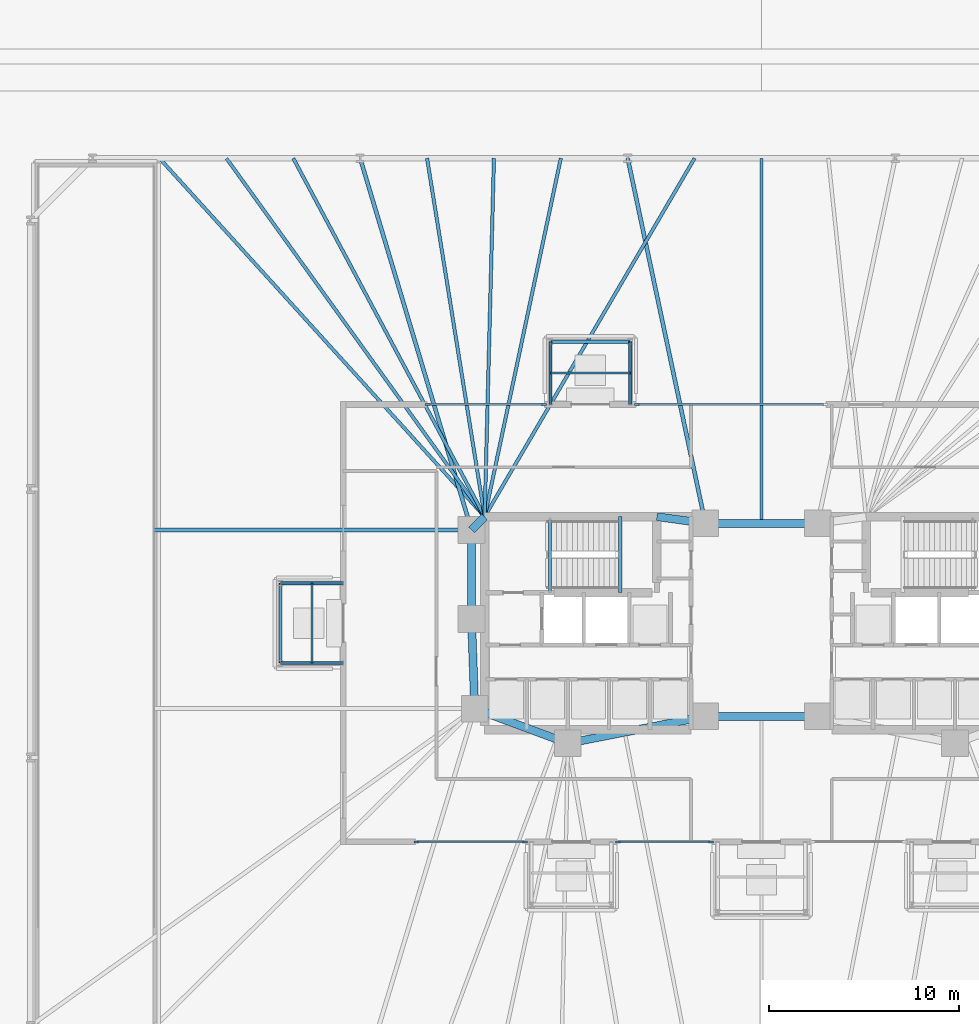
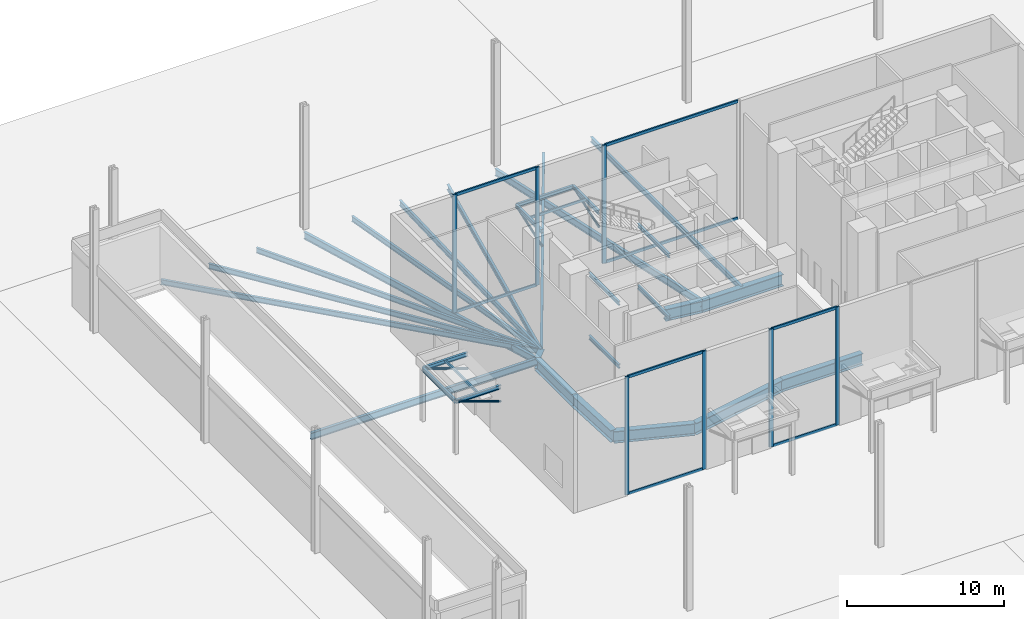
# One storey, part 9 of 24: 29 beams, 21 members, 4 elements without a shape of their own.
"""IFC4 building model written with IfcOpenShell, lengths in metres."""

import ifcopenshell
import ifcopenshell.guid

model = None  # the IFC model being written
_history = None  # IfcOwnerHistory: only IFC2X3 demands one
_inside = {}  # id of a spatial element -> (the spatial element, [elements in it])
_under = {}  # id of a project, library or spatial element -> (it, [spatial elements below it])
_declared = {}  # id of a project -> (the project, [libraries it declares])
_typed = {}  # id of a type object -> (the type object, [elements of that type])
_made_of = {}  # id of a material, layer set ... -> (it, [elements and type objects made of it])


def new_model(schema):
    """Start an empty IFC model of exactly this schema.

    Asked for "IFC4X3", IfcOpenShell would pick the latest addendum, in which some entities
    have other attributes; the version numbers below select the first issue.
    IFC2X3 requires an IfcOwnerHistory on every rooted entity: one is made here for all.
    """
    global model, _history
    if schema == "IFC4X3":
        model = ifcopenshell.file(schema_version=(4, 3, 0, 0))
    else:
        model = ifcopenshell.file(schema=schema)
    _inside.clear()
    _under.clear()
    _declared.clear()
    _typed.clear()
    _made_of.clear()
    _history = None
    if model.schema == "IFC2X3":
        org = make("IfcOrganization", Name="unknown")
        user = make(
            "IfcPersonAndOrganization",
            ThePerson=make("IfcPerson", FamilyName="unknown"),
            TheOrganization=org,
        )
        app = make(
            "IfcApplication",
            ApplicationDeveloper=org,
            Version="unknown",
            ApplicationFullName="unknown",
            ApplicationIdentifier="unknown",
        )
        _history = make(
            "IfcOwnerHistory",
            OwningUser=user,
            OwningApplication=app,
            ChangeAction="ADDED",
            CreationDate=0,
        )
    return model


def make(cls, **values):
    """One entity of the class cls with the attributes given. An attribute that is None is left unset."""
    return model.create_entity(
        cls, **{name: value for name, value in values.items() if value is not None}
    )


def rooted(cls, **values):
    """An entity with a GlobalId (a new one), such as an element, a storey or a relation."""
    return make(cls, GlobalId=ifcopenshell.guid.new(), OwnerHistory=_history, **values)


def si_unit(unit_type, name, prefix=None):
    """IfcSIUnit, for example si_unit("LENGTHUNIT", "METRE", prefix="MILLI")."""
    return make("IfcSIUnit", UnitType=unit_type, Prefix=prefix, Name=name)


def assignment(units):
    """IfcUnitAssignment: the units of a project."""
    return None if units is None else make("IfcUnitAssignment", Units=units)


def point(xyz):
    """IfcCartesianPoint."""
    return None if xyz is None else make("IfcCartesianPoint", Coordinates=xyz)


def direction(xyz):
    """IfcDirection."""
    return None if xyz is None else make("IfcDirection", DirectionRatios=xyz)


def frame(location, z_axis=None, x_axis=None):
    """IfcAxis2Placement3D, a coordinate frame: its origin and axes. An axis left out is left unset."""
    return make(
        "IfcAxis2Placement3D",
        Location=point(location),
        Axis=direction(z_axis),
        RefDirection=direction(x_axis),
    )


def frame_2d(location, x_axis=None):
    """IfcAxis2Placement2D, a coordinate frame in the plane: its origin and x axis."""
    return make(
        "IfcAxis2Placement2D", Location=point(location), RefDirection=direction(x_axis)
    )


def origin():
    """The frame at (0, 0, 0) with its axes left unset."""
    return frame((0.0, 0.0, 0.0))


def origin_2d():
    """The frame at (0, 0) in the plane with its x axis left unset."""
    return frame_2d((0.0, 0.0))


def place(relative_to, where):
    """IfcLocalPlacement: puts the frame where relative to a parent placement (None: the world)."""
    return make(
        "IfcLocalPlacement", PlacementRelTo=relative_to, RelativePlacement=where
    )


def context(
    kind, dimensions, precision=None, world=None, true_north=None, identifier=None
):
    """IfcGeometricRepresentationContext, for example the 3D "Model" context."""
    return make(
        "IfcGeometricRepresentationContext",
        ContextIdentifier=identifier,
        ContextType=kind,
        CoordinateSpaceDimension=dimensions,
        Precision=precision,
        WorldCoordinateSystem=world,
        TrueNorth=true_north,
    )


def subcontext(parent, identifier, kind, view, scale=None):
    """IfcGeometricRepresentationSubContext, for example "Body" below "Model"."""
    return make(
        "IfcGeometricRepresentationSubContext",
        ContextIdentifier=identifier,
        ContextType=kind,
        ParentContext=parent,
        TargetScale=scale,
        TargetView=view,
    )


def project(units=None, contexts=None):
    """IfcProject with its units and contexts."""
    return rooted(
        "IfcProject",
        Name="project",
        RepresentationContexts=contexts,
        UnitsInContext=assignment(units),
    )


def spatial(cls, under=None, at=None, **own):
    """A site, building, storey or space (cls), placed at a placement, below another one or the project."""
    s = rooted(cls, ObjectPlacement=at, **own)
    if under is not None:
        _under.setdefault(under.id(), (under, []))[1].append(s)
    return s


def profile(cls, at=None, kind="AREA", **sizes):
    """A parametric profile (cls). Its sizes go by their IFC names, for example OverallWidth=200.0."""
    return make(cls, ProfileType=kind, Position=at, **sizes)


def rectangle(**sizes):
    """IfcRectangleProfileDef."""
    return profile("IfcRectangleProfileDef", **sizes)


def hollow_rectangle(**sizes):
    """IfcRectangleHollowProfileDef."""
    return profile("IfcRectangleHollowProfileDef", **sizes)


def hollow_circle(**sizes):
    """IfcCircleHollowProfileDef."""
    return profile("IfcCircleHollowProfileDef", **sizes)


def i_section(**sizes):
    """IfcIShapeProfileDef."""
    return profile("IfcIShapeProfileDef", **sizes)


def extrude(swept, where, along, depth):
    """IfcExtrudedAreaSolid: the profile swept, set in the frame where, extruded along a direction by depth."""
    return make(
        "IfcExtrudedAreaSolid",
        SweptArea=swept,
        Position=where,
        ExtrudedDirection=direction(along),
        Depth=depth,
    )


def shape(context_of_items, identifier, shape_type, items):
    """IfcShapeRepresentation: the items that make up one representation, for example the "Body"."""
    return make(
        "IfcShapeRepresentation",
        ContextOfItems=context_of_items,
        RepresentationIdentifier=identifier,
        RepresentationType=shape_type,
        Items=items,
    )


def material(Name=None, Category=None):
    """IfcMaterial."""
    return make("IfcMaterial", Name=Name, Category=Category)


def material_profile(
    of_material, cross_section, Name=None, Category=None, Priority=None
):
    """IfcMaterialProfile: a cross section and its material."""
    return make(
        "IfcMaterialProfile",
        Name=Name,
        Material=of_material,
        Profile=cross_section,
        Priority=Priority,
        Category=Category,
    )


def profile_set(profiles, Name=None, composite=None):
    """IfcMaterialProfileSet."""
    return make(
        "IfcMaterialProfileSet",
        Name=Name,
        MaterialProfiles=profiles,
        CompositeProfile=composite,
    )


def made_of(thing, what):
    """Note that an element or type object is made of a material, layer set ...; save() writes the relation."""
    if what is not None:
        _made_of.setdefault(what.id(), (what, []))[1].append(thing)
    return thing


def type_object(cls, material=None, **own):
    """A type object (cls), such as IfcWallType, which elements share."""
    return made_of(rooted(cls, **own), material)


def element(
    cls,
    number,
    at=None,
    inside=None,
    cuts=None,
    type_object=None,
    material=None,
    context=None,
    identifier="Body",
    shape_type=None,
    held_by="IfcProductDefinitionShape",
    body=None,
    shapes=None,
    **own,
):
    """One element of the class cls, such as IfcWall. Its Tag is "e" and its number.

    at: its placement. inside: the storey or other place that contains it. cuts: it is an
    opening in that element (IfcRelVoidsElement). A single representation is given by context,
    identifier, shape_type and body (its items); several are given by shapes. held_by: the class
    of the entity that holds the representations. save() writes the other relations.
    """
    e = rooted(cls, Tag="e%d" % number, ObjectPlacement=at, **own)
    if body is not None:
        shapes = [shape(context, identifier, shape_type, body)]
    if shapes is not None:
        e.Representation = make(held_by, Representations=shapes)
    if inside is not None:
        _inside.setdefault(inside.id(), (inside, []))[1].append(e)
    if cuts is not None:
        rooted(
            "IfcRelVoidsElement", RelatingBuildingElement=cuts, RelatedOpeningElement=e
        )
    if type_object is not None:
        _typed.setdefault(type_object.id(), (type_object, []))[1].append(e)
    return made_of(e, material)


def aggregate(whole, parts):
    """IfcRelAggregates: a whole, such as a stair, and the parts it consists of."""
    return rooted("IfcRelAggregates", RelatingObject=whole, RelatedObjects=parts)


def save(model, path):
    """Write the relations noted so far, then the file.

    IfcRelAggregates (storeys below a building ...), IfcRelContainedInSpatialStructure (elements
    in a storey), IfcRelDefinesByType, IfcRelAssociatesMaterial and IfcRelDeclares: one each for
    every whole, place, type object, material and project.
    """
    for whole, parts in _under.values():
        aggregate(whole, parts)
    for where, things in _inside.values():
        rooted(
            "IfcRelContainedInSpatialStructure",
            RelatedElements=things,
            RelatingStructure=where,
        )
    for kind, things in _typed.values():
        rooted("IfcRelDefinesByType", RelatedObjects=things, RelatingType=kind)
    for what, things in _made_of.values():
        rooted("IfcRelAssociatesMaterial", RelatedObjects=things, RelatingMaterial=what)
    for by, libraries in _declared.values():
        rooted("IfcRelDeclares", RelatingContext=by, RelatedDefinitions=libraries)
    model.write(path)


model = new_model("IFC4")

# Units and contexts
model_context = context("Model", 3, precision=1e-05, world=origin(), true_north=direction((0.0, 1.0)))
body_context = subcontext(model_context, "Body", "Model", "MODEL_VIEW")
ifc_project = project(units=[si_unit("LENGTHUNIT", "METRE"), si_unit("AREAUNIT", "SQUARE_METRE"), si_unit("VOLUMEUNIT", "CUBIC_METRE"), si_unit("PLANEANGLEUNIT", "RADIAN"), si_unit("MASSUNIT", "GRAM", prefix="KILO")], contexts=[model_context])

# Site, building, storey
site_placement = place(None, origin())
site = spatial("IfcSite", under=ifc_project, at=site_placement, CompositionType="ELEMENT")
building_placement = place(site_placement, origin())
building = spatial("IfcBuilding", under=site, at=building_placement, Name="Menara Jurai Vektor", CompositionType="ELEMENT")
storey_placement = place(building_placement, origin())
storey = spatial("IfcBuildingStorey", under=building, at=storey_placement, Name="L00", CompositionType="ELEMENT", Elevation=0.0)

# Curtain wall, members
ifc_material_1 = material(Name="Anodised Pale Aluminium & Low-E Double Glazing", Category="aluminium")
curtain_wall_type = type_object("IfcCurtainWallType", Name="CW-SKY", PredefinedType="NOTDEFINED", material=ifc_material_1)
curtain_wall_1_placement = place(storey_placement, origin())
curtain_wall_1 = element("IfcCurtainWall", 1, at=curtain_wall_1_placement, inside=storey, type_object=curtain_wall_type, Name="Unitised Curtain Wall L00 S1", PredefinedType="NOTDEFINED")
ifc_material_2 = material(Name="Anodised Pale Aluminium Mullion", Category="aluminium")
ifc_material_profile_1 = material_profile(ifc_material_2, rectangle(XDim=0.110107421875, YDim=0.280029296875, at=origin_2d()), Name="ALU MUL 110x280")
ifc_profile_set_1 = profile_set([ifc_material_profile_1], Name="Anodised Pale Aluminium Mullion")
member_type_1 = type_object("IfcMemberType", Name="CW-SKY-MUL", PredefinedType="MULLION", material=ifc_profile_set_1)
member_1_placement = place(storey_placement, frame((-18.14501953125, -11.5, 0.0), z_axis=(0.0, 0.0, 1.0), x_axis=(0.0, 1.0, 0.0)))
member_1 = element("IfcMember", 2, at=member_1_placement, type_object=member_type_1, Name="CW-06 mullion 1", PredefinedType="MULLION", context=body_context, shape_type="SweptSolid", body=[
    extrude(rectangle(XDim=0.110107421875, YDim=0.280029296875, at=origin_2d()), origin(), (0.0, 0.0, 1.0), 9.195068359375),
])
member_2_placement = place(storey_placement, frame((-12.455078125, -11.5, 0.0), z_axis=(0.0, 0.0, 1.0), x_axis=(0.0, 1.0, 0.0)))
member_2 = element("IfcMember", 3, at=member_2_placement, type_object=member_type_1, Name="CW-06 mullion 2", PredefinedType="MULLION", context=body_context, shape_type="SweptSolid", body=[
    extrude(rectangle(XDim=0.110107421875, YDim=0.280029296875, at=origin_2d()), origin(), (0.0, 0.0, 1.0), 9.195068359375),
])

curtain_wall_2_placement = place(storey_placement, origin())
curtain_wall_2 = element("IfcCurtainWall", 4, at=curtain_wall_2_placement, inside=storey, type_object=curtain_wall_type, Name="Unitised Curtain Wall L00 S2", PredefinedType="NOTDEFINED")
member_3_placement = place(storey_placement, frame((-7.544921875, -11.5, 0.0), z_axis=(0.0, 0.0, 1.0), x_axis=(0.0, 1.0, 0.0)))
member_3 = element("IfcMember", 5, at=member_3_placement, type_object=member_type_1, Name="CW-06 mullion 1", PredefinedType="MULLION", context=body_context, shape_type="SweptSolid", body=[
    extrude(rectangle(XDim=0.110107421875, YDim=0.280029296875, at=origin_2d()), origin(), (0.0, 0.0, 1.0), 9.195068359375),
])
member_4_placement = place(storey_placement, frame((-2.655029296875, -11.5, 0.0), z_axis=(0.0, 0.0, 1.0), x_axis=(0.0, 1.0, 0.0)))
member_4 = element("IfcMember", 6, at=member_4_placement, type_object=member_type_1, Name="CW-06 mullion 2", PredefinedType="MULLION", context=body_context, shape_type="SweptSolid", body=[
    extrude(rectangle(XDim=0.110107421875, YDim=0.280029296875, at=origin_2d()), origin(), (0.0, 0.0, 1.0), 9.195068359375),
])

curtain_wall_3_placement = place(storey_placement, origin())
curtain_wall_3 = element("IfcCurtainWall", 7, at=curtain_wall_3_placement, inside=storey, type_object=curtain_wall_type, Name="Unitised Curtain Wall L00 N1", PredefinedType="NOTDEFINED")
member_5_placement = place(storey_placement, frame((-17.544921875, 11.5, 0.0), z_axis=(0.0, 0.0, 1.0), x_axis=(0.0, 1.0, 0.0)))
member_5 = element("IfcMember", 8, at=member_5_placement, type_object=member_type_1, Name="CW-06 mullion 1", PredefinedType="MULLION", context=body_context, shape_type="SweptSolid", body=[
    extrude(rectangle(XDim=0.110107421875, YDim=0.280029296875, at=origin_2d()), origin(), (0.0, 0.0, 1.0), 9.195068359375),
])
member_6_placement = place(storey_placement, frame((-11.455078125, 11.5, 0.0), z_axis=(0.0, 0.0, 1.0), x_axis=(0.0, 1.0, 0.0)))
member_6 = element("IfcMember", 9, at=member_6_placement, type_object=member_type_1, Name="CW-06 mullion 2", PredefinedType="MULLION", context=body_context, shape_type="SweptSolid", body=[
    extrude(rectangle(XDim=0.110107421875, YDim=0.280029296875, at=origin_2d()), origin(), (0.0, 0.0, 1.0), 9.195068359375),
])

# Curtain wall, member
curtain_wall_4_placement = place(storey_placement, origin())
curtain_wall_4 = element("IfcCurtainWall", 10, at=curtain_wall_4_placement, inside=storey, type_object=curtain_wall_type, Name="Unitised Curtain Wall L00 N2", PredefinedType="NOTDEFINED")
member_7_placement = place(storey_placement, frame((-6.544921875, 11.5, 0.0), z_axis=(0.0, 0.0, 1.0), x_axis=(0.0, 1.0, 0.0)))
member_7 = element("IfcMember", 11, at=member_7_placement, type_object=member_type_1, Name="CW-06 mullion 1", PredefinedType="MULLION", context=body_context, shape_type="SweptSolid", body=[
    extrude(rectangle(XDim=0.110107421875, YDim=0.280029296875, at=origin_2d()), origin(), (0.0, 0.0, 1.0), 9.195068359375),
])

# Member
ifc_material_3 = material(Name="Anodised Pale Aluminium Transom", Category="aluminium")
ifc_material_profile_2 = material_profile(ifc_material_3, rectangle(XDim=0.110107421875, YDim=0.219970703125, at=origin_2d()), Name="ALU TRN 110x220")
ifc_profile_set_2 = profile_set([ifc_material_profile_2], Name="Anodised Pale Aluminium Transom")
member_type_2 = type_object("IfcMemberType", Name="CW-SKY-TRN", PredefinedType="USERDEFINED", material=ifc_profile_set_2)
member_8_placement = place(storey_placement, frame((-18.090087890625, -11.5, 0.054931640625), z_axis=(1.0, 0.0, 0.0), x_axis=(0.0, 1.0, 0.0)))
member_8 = element("IfcMember", 12, at=member_8_placement, type_object=member_type_2, Name="CW-06 transom 1.1", ObjectType="TRANSOM", PredefinedType="USERDEFINED", context=body_context, shape_type="SweptSolid", body=[
    extrude(rectangle(XDim=0.110107421875, YDim=0.219970703125, at=origin_2d()), origin(), (0.0, 0.0, 1.0), 5.580078125),
])

member_9_placement = place(storey_placement, frame((-18.090087890625, -11.5, 9.139892578125), z_axis=(1.0, 0.0, 0.0), x_axis=(0.0, 1.0, 0.0)))
member_9 = element("IfcMember", 13, at=member_9_placement, type_object=member_type_2, Name="CW-06 transom 1.2", ObjectType="TRANSOM", PredefinedType="USERDEFINED", context=body_context, shape_type="SweptSolid", body=[
    extrude(rectangle(XDim=0.110107421875, YDim=0.219970703125, at=origin_2d()), origin(), (0.0, 0.0, 1.0), 5.580078125),
])

aggregate(curtain_wall_1, [member_1, member_2, member_8, member_9])

member_10_placement = place(storey_placement, frame((-7.489990234375, -11.5, 0.054931640625), z_axis=(1.0, 0.0, 0.0), x_axis=(0.0, 1.0, 0.0)))
member_10 = element("IfcMember", 14, at=member_10_placement, type_object=member_type_2, Name="CW-06 transom 1.1", ObjectType="TRANSOM", PredefinedType="USERDEFINED", context=body_context, shape_type="SweptSolid", body=[
    extrude(rectangle(XDim=0.110107421875, YDim=0.219970703125, at=origin_2d()), origin(), (0.0, 0.0, 1.0), 4.780029296875),
])

member_11_placement = place(storey_placement, frame((-7.489990234375, -11.5, 9.139892578125), z_axis=(1.0, 0.0, 0.0), x_axis=(0.0, 1.0, 0.0)))
member_11 = element("IfcMember", 15, at=member_11_placement, type_object=member_type_2, Name="CW-06 transom 1.2", ObjectType="TRANSOM", PredefinedType="USERDEFINED", context=body_context, shape_type="SweptSolid", body=[
    extrude(rectangle(XDim=0.110107421875, YDim=0.219970703125, at=origin_2d()), origin(), (0.0, 0.0, 1.0), 4.780029296875),
])

aggregate(curtain_wall_2, [member_3, member_4, member_10, member_11])

member_12_placement = place(storey_placement, frame((-17.489990234375, 11.5, 0.054931640625), z_axis=(1.0, 0.0, 0.0), x_axis=(0.0, 1.0, 0.0)))
member_12 = element("IfcMember", 16, at=member_12_placement, type_object=member_type_2, Name="CW-06 transom 1.1", ObjectType="TRANSOM", PredefinedType="USERDEFINED", context=body_context, shape_type="SweptSolid", body=[
    extrude(rectangle(XDim=0.110107421875, YDim=0.219970703125, at=origin_2d()), origin(), (0.0, 0.0, 1.0), 5.97998046875),
])

member_13_placement = place(storey_placement, frame((-17.489990234375, 11.5, 9.139892578125), z_axis=(1.0, 0.0, 0.0), x_axis=(0.0, 1.0, 0.0)))
member_13 = element("IfcMember", 17, at=member_13_placement, type_object=member_type_2, Name="CW-06 transom 1.2", ObjectType="TRANSOM", PredefinedType="USERDEFINED", context=body_context, shape_type="SweptSolid", body=[
    extrude(rectangle(XDim=0.110107421875, YDim=0.219970703125, at=origin_2d()), origin(), (0.0, 0.0, 1.0), 5.97998046875),
])

aggregate(curtain_wall_3, [member_5, member_6, member_12, member_13])

member_14_placement = place(storey_placement, frame((-6.489990234375, 11.5, 0.054931640625), z_axis=(1.0, 0.0, 0.0), x_axis=(0.0, 1.0, 0.0)))
member_14 = element("IfcMember", 18, at=member_14_placement, type_object=member_type_2, Name="CW-06 transom 1.1", ObjectType="TRANSOM", PredefinedType="USERDEFINED", context=body_context, shape_type="SweptSolid", body=[
    extrude(rectangle(XDim=0.110107421875, YDim=0.219970703125, at=origin_2d()), origin(), (0.0, 0.0, 1.0), 9.780029296875),
])

member_15_placement = place(storey_placement, frame((-6.489990234375, 11.5, 9.139892578125), z_axis=(1.0, 0.0, 0.0), x_axis=(0.0, 1.0, 0.0)))
member_15 = element("IfcMember", 19, at=member_15_placement, type_object=member_type_2, Name="CW-06 transom 1.2", ObjectType="TRANSOM", PredefinedType="USERDEFINED", context=body_context, shape_type="SweptSolid", body=[
    extrude(rectangle(XDim=0.110107421875, YDim=0.219970703125, at=origin_2d()), origin(), (0.0, 0.0, 1.0), 9.780029296875),
])

aggregate(curtain_wall_4, [member_7, member_14, member_15])

# Beams
ifc_material_4 = material(Name="Steel S355", Category="steel")
ifc_material_profile_3 = material_profile(ifc_material_4, i_section(OverallWidth=0.2109375, OverallDepth=0.5390625, WebThickness=0.011962890625, FlangeThickness=0.01904296875, FilletRadius=0.012939453125, at=origin_2d()), Name="UKB 533x210x109")
ifc_profile_set_3 = profile_set([ifc_material_profile_3], Name="Steel S355")
beam_type_1 = type_object("IfcBeamType", Name="STR-BM-533", PredefinedType="BEAM", material=ifc_profile_set_3)
beam_1_placement = place(storey_placement, frame((-7.03564453125, 24.449951171875, -0.569580078125), z_axis=(0.2081367579, -0.978099734184, 0.0), x_axis=(0.978099734184, 0.2081367579, 0.0)))
element("IfcBeam", 20, at=beam_1_placement, inside=storey, type_object=beam_type_1, Name="Podium Radial Girder L00-RG-N4", PredefinedType="BEAM", context=body_context, shape_type="SweptSolid", body=[
    extrude(i_section(OverallWidth=0.2109375, OverallDepth=0.5390625, WebThickness=0.011962890625, FlangeThickness=0.01904296875, FilletRadius=0.012939453125, at=origin_2d()), origin(), (0.0, 0.0, 1.0), 19.6298828125),
])
beam_2_placement = place(storey_placement, frame((-21.106689453125, 24.449951171875, -0.569580078125), z_axis=(0.286973617166, -0.957938486047, 0.0), x_axis=(0.957938486047, 0.286973617166, 0.0)))
element("IfcBeam", 21, at=beam_2_placement, inside=storey, type_object=beam_type_1, Name="Podium Radial Girder L00-RG-N5", PredefinedType="BEAM", context=body_context, shape_type="SweptSolid", body=[
    extrude(i_section(OverallWidth=0.2109375, OverallDepth=0.5390625, WebThickness=0.011962890625, FlangeThickness=0.01904296875, FilletRadius=0.012939453125, at=origin_2d()), origin(), (0.0, 0.0, 1.0), 20.408447265625),
])
beam_3_placement = place(storey_placement, frame((-31.949951171875, 4.89990234375, -0.569580078125), z_axis=(1.0, 0.0, 0.0), x_axis=(0.0, 1.0, 0.0)))
element("IfcBeam", 22, at=beam_3_placement, inside=storey, type_object=beam_type_1, Name="Podium Girder L00-N6B", PredefinedType="BEAM", context=body_context, shape_type="SweptSolid", body=[
    extrude(i_section(OverallWidth=0.2109375, OverallDepth=0.5390625, WebThickness=0.011962890625, FlangeThickness=0.01904296875, FilletRadius=0.012939453125, at=origin_2d()), origin(), (0.0, 0.0, 1.0), 16.699951171875),
])
ifc_material_5 = material(Name="Steel S460", Category="steel")
ifc_material_profile_4 = material_profile(ifc_material_5, i_section(OverallWidth=0.4208984375, OverallDepth=0.9208984375, WebThickness=0.02099609375, FlangeThickness=0.037109375, FilletRadius=0.02392578125, at=origin_2d()), Name="UKB 914x419x388")
ifc_profile_set_4 = profile_set([ifc_material_profile_4], Name="Steel S460")
beam_type_2 = type_object("IfcBeamType", Name="STR-BM-TR914", PredefinedType="BEAM", material=ifc_profile_set_4)
beam_4_placement = place(storey_placement, frame((-15.25, 4.89990234375, -0.760498046875), z_axis=(0.701871936926, 0.712303154672, 0.0), x_axis=(-0.712303154672, 0.701871936926, 0.0)))
element("IfcBeam", 23, at=beam_4_placement, inside=storey, type_object=beam_type_2, Name="Core Ring Header Girder L00-CHW-N1", PredefinedType="BEAM", context=body_context, shape_type="SweptSolid", body=[
    extrude(i_section(OverallWidth=0.4208984375, OverallDepth=0.9208984375, WebThickness=0.02099609375, FlangeThickness=0.037109375, FilletRadius=0.02392578125, at=origin_2d()), origin(), (0.0, 0.0, 1.0), 0.98291015625),
])
beam_5_placement = place(storey_placement, frame((-5.5, 5.60009765625, -0.760498046875), z_axis=(0.990706818608, -0.136014703483, 0.0), x_axis=(0.136014703483, 0.990706818608, 0.0)))
element("IfcBeam", 24, at=beam_5_placement, inside=storey, type_object=beam_type_2, Name="Core Ring Header Girder L00-CHW-N2", PredefinedType="BEAM", context=body_context, shape_type="SweptSolid", body=[
    extrude(i_section(OverallWidth=0.4208984375, OverallDepth=0.9208984375, WebThickness=0.02099609375, FlangeThickness=0.037109375, FilletRadius=0.02392578125, at=origin_2d()), origin(), (0.0, 0.0, 1.0), 2.573974609375),
])
beam_6_placement = place(storey_placement, frame((-15.25, 0.219970703125, -0.760498046875), z_axis=(0.0, 1.0, 0.0), x_axis=(-1.0, 0.0, 0.0)))
element("IfcBeam", 25, at=beam_6_placement, inside=storey, type_object=beam_type_2, Name="Core Ring Header Girder L00-CHW-W1", PredefinedType="BEAM", context=body_context, shape_type="SweptSolid", body=[
    extrude(i_section(OverallWidth=0.4208984375, OverallDepth=0.9208984375, WebThickness=0.02099609375, FlangeThickness=0.037109375, FilletRadius=0.02392578125, at=origin_2d()), origin(), (0.0, 0.0, 1.0), 4.679931640625),
])
beam_7_placement = place(storey_placement, frame((-15.080078125, -4.5, -0.760498046875), z_axis=(-0.035977314146, 0.999352606874, 0.0), x_axis=(-0.999352606874, -0.035977314146, 0.0)))
element("IfcBeam", 26, at=beam_7_placement, inside=storey, type_object=beam_type_2, Name="Core Ring Header Girder L00-CHW-W2", PredefinedType="BEAM", context=body_context, shape_type="SweptSolid", body=[
    extrude(i_section(OverallWidth=0.4208984375, OverallDepth=0.9208984375, WebThickness=0.02099609375, FlangeThickness=0.037109375, FilletRadius=0.02392578125, at=origin_2d()), origin(), (0.0, 0.0, 1.0), 4.72314453125),
])
beam_8_placement = place(storey_placement, frame((-15.080078125, -4.5, -0.760498046875), z_axis=(0.937424400887, -0.348188874925, 0.0), x_axis=(0.348188874925, 0.937424400887, 0.0)))
element("IfcBeam", 27, at=beam_8_placement, inside=storey, type_object=beam_type_2, Name="Core Ring Header Girder L00-CHW-S1", PredefinedType="BEAM", context=body_context, shape_type="SweptSolid", body=[
    extrude(i_section(OverallWidth=0.4208984375, OverallDepth=0.9208984375, WebThickness=0.02099609375, FlangeThickness=0.037109375, FilletRadius=0.02392578125, at=origin_2d()), origin(), (0.0, 0.0, 1.0), 5.227294921875),
])
beam_9_placement = place(storey_placement, frame((-10.179931640625, -6.320068359375, -0.760498046875), z_axis=(0.981249044334, 0.192744164614, 0.0), x_axis=(-0.192744164614, 0.981249044334, 0.0)))
element("IfcBeam", 28, at=beam_9_placement, inside=storey, type_object=beam_type_2, Name="Core Ring Header Girder L00-CHW-S2", PredefinedType="BEAM", context=body_context, shape_type="SweptSolid", body=[
    extrude(i_section(OverallWidth=0.4208984375, OverallDepth=0.9208984375, WebThickness=0.02099609375, FlangeThickness=0.037109375, FilletRadius=0.02392578125, at=origin_2d()), origin(), (0.0, 0.0, 1.0), 7.3681640625),
])
for number, where, z_axis, x_axis, name in (
    (29, (-2.949951171875, -4.89990234375, -0.760498046875), (1.0, 0.0, 0.0), (0.0, 1.0, 0.0), "Core Ring Header Girder L00-CC-1"),
    (30, (-2.949951171875, 5.25, -0.760498046875), (1.0, 0.0, 0.0), (0.0, 1.0, 0.0), "Core Ring Header Girder L00-CC-2"),
):
    element("IfcBeam", number, at=place(storey_placement, frame(where, z_axis=z_axis, x_axis=x_axis)), inside=storey, type_object=beam_type_2, Name=name, PredefinedType="BEAM", context=body_context, shape_type="SweptSolid", body=[
        extrude(i_section(OverallWidth=0.4208984375, OverallDepth=0.9208984375, WebThickness=0.02099609375, FlangeThickness=0.037109375, FilletRadius=0.02392578125, at=origin_2d()), origin(), (0.0, 0.0, 1.0), 5.89990234375),
    ])
ifc_material_profile_5 = material_profile(ifc_material_4, i_section(OverallWidth=0.178955078125, OverallDepth=0.408935546875, WebThickness=0.009033203125, FlangeThickness=0.013916015625, FilletRadius=0.010009765625, at=origin_2d()), Name="UKB 406x178x67")
ifc_profile_set_5 = profile_set([ifc_material_profile_5], Name="Steel S355")
beam_type_3 = type_object("IfcBeamType", Name="STR-JS-406", PredefinedType="JOIST", material=ifc_profile_set_5)
beam_10_placement = place(storey_placement, frame((0.0, 24.449951171875, -0.50439453125), z_axis=(0.0, -1.0, 0.0), x_axis=(1.0, 0.0, 0.0)))
element("IfcBeam", 31, at=beam_10_placement, inside=storey, type_object=beam_type_3, Name="Radial Secondary Floor Joist L00-JS23", PredefinedType="JOIST", context=body_context, shape_type="SweptSolid", body=[
    extrude(i_section(OverallWidth=0.178955078125, OverallDepth=0.408935546875, WebThickness=0.009033203125, FlangeThickness=0.013916015625, FilletRadius=0.010009765625, at=origin_2d()), origin(), (0.0, 0.0, 1.0), 19.199951171875),
])
beam_11_placement = place(storey_placement, frame((-3.517822265625, 24.449951171875, -0.50439453125), z_axis=(-0.505457909797, -0.862851262631, 0.0), x_axis=(0.862851262631, -0.505457909797, 0.0)))
element("IfcBeam", 32, at=beam_11_placement, inside=storey, type_object=beam_type_3, Name="Radial Secondary Floor Joist L00-JS24", PredefinedType="JOIST", context=body_context, shape_type="SweptSolid", body=[
    extrude(i_section(OverallWidth=0.178955078125, OverallDepth=0.408935546875, WebThickness=0.009033203125, FlangeThickness=0.013916015625, FilletRadius=0.010009765625, at=origin_2d()), origin(), (0.0, 0.0, 1.0), 21.845947265625),
])
beam_12_placement = place(storey_placement, frame((-10.55322265625, 24.449951171875, -0.50439453125), z_axis=(-0.207920423262, -0.978145744555, 0.0), x_axis=(0.978145744555, -0.207920423262, 0.0)))
element("IfcBeam", 33, at=beam_12_placement, inside=storey, type_object=beam_type_3, Name="Radial Secondary Floor Joist L00-JS25", PredefinedType="JOIST", context=body_context, shape_type="SweptSolid", body=[
    extrude(i_section(OverallWidth=0.178955078125, OverallDepth=0.408935546875, WebThickness=0.009033203125, FlangeThickness=0.013916015625, FilletRadius=0.010009765625, at=origin_2d()), origin(), (0.0, 0.0, 1.0), 19.27099609375),
])
beam_13_placement = place(storey_placement, frame((-14.071044921875, 24.449951171875, -0.50439453125), z_axis=(-0.02593384597, -0.999663661255, 0.0), x_axis=(0.999663661255, -0.02593384597, 0.0)))
element("IfcBeam", 34, at=beam_13_placement, inside=storey, type_object=beam_type_3, Name="Radial Secondary Floor Joist L00-JS26", PredefinedType="JOIST", context=body_context, shape_type="SweptSolid", body=[
    extrude(i_section(OverallWidth=0.178955078125, OverallDepth=0.408935546875, WebThickness=0.009033203125, FlangeThickness=0.013916015625, FilletRadius=0.010009765625, at=origin_2d()), origin(), (0.0, 0.0, 1.0), 18.856201171875),
])
beam_14_placement = place(storey_placement, frame((-17.5888671875, 24.449951171875, -0.50439453125), z_axis=(0.158645817656, -0.987335558227, 0.0), x_axis=(0.987335558227, 0.158645817656, 0.0)))
element("IfcBeam", 35, at=beam_14_placement, inside=storey, type_object=beam_type_3, Name="Radial Secondary Floor Joist L00-JS27", PredefinedType="JOIST", context=body_context, shape_type="SweptSolid", body=[
    extrude(i_section(OverallWidth=0.178955078125, OverallDepth=0.408935546875, WebThickness=0.009033203125, FlangeThickness=0.013916015625, FilletRadius=0.010009765625, at=origin_2d()), origin(), (0.0, 0.0, 1.0), 19.091552734375),
])
beam_15_placement = place(storey_placement, frame((-24.62451171875, 24.449951171875, -0.50439453125), z_axis=(0.470996174599, -0.882135252392, 0.0), x_axis=(0.882135252392, 0.470996174599, 0.0)))
element("IfcBeam", 36, at=beam_15_placement, inside=storey, type_object=beam_type_3, Name="Radial Secondary Floor Joist L00-JS28", PredefinedType="JOIST", context=body_context, shape_type="SweptSolid", body=[
    extrude(i_section(OverallWidth=0.178955078125, OverallDepth=0.408935546875, WebThickness=0.009033203125, FlangeThickness=0.013916015625, FilletRadius=0.010009765625, at=origin_2d()), origin(), (0.0, 0.0, 1.0), 21.368408203125),
])
beam_16_placement = place(storey_placement, frame((-28.142333984375, 24.449951171875, -0.50439453125), z_axis=(0.584598948369, -0.811322420229, 0.0), x_axis=(0.811322420229, 0.584598948369, 0.0)))
element("IfcBeam", 37, at=beam_16_placement, inside=storey, type_object=beam_type_3, Name="Radial Secondary Floor Joist L00-JS29", PredefinedType="JOIST", context=body_context, shape_type="SweptSolid", body=[
    extrude(i_section(OverallWidth=0.178955078125, OverallDepth=0.408935546875, WebThickness=0.009033203125, FlangeThickness=0.013916015625, FilletRadius=0.010009765625, at=origin_2d()), origin(), (0.0, 0.0, 1.0), 23.2333984375),
])
beam_17_placement = place(storey_placement, frame((-31.659912109375, 24.449951171875, -0.50439453125), z_axis=(0.671889844346, -0.740651089964, 0.0), x_axis=(0.740651089964, 0.671889844346, 0.0)))
element("IfcBeam", 38, at=beam_17_placement, inside=storey, type_object=beam_type_3, Name="Radial Secondary Floor Joist L00-JS30", PredefinedType="JOIST", context=body_context, shape_type="SweptSolid", body=[
    extrude(i_section(OverallWidth=0.178955078125, OverallDepth=0.408935546875, WebThickness=0.009033203125, FlangeThickness=0.013916015625, FilletRadius=0.010009765625, at=origin_2d()), origin(), (0.0, 0.0, 1.0), 25.450439453125),
])
ifc_material_profile_6 = material_profile(ifc_material_4, i_section(OverallWidth=0.1650390625, OverallDepth=0.302978515625, WebThickness=0.006103515625, FlangeThickness=0.010009765625, FilletRadius=0.009033203125, at=origin_2d()), Name="UKB 305x165x40")
ifc_profile_set_6 = profile_set([ifc_material_profile_6], Name="Steel S355")
beam_type_4 = type_object("IfcBeamType", Name="STR-LN-305", PredefinedType="LINTEL", material=ifc_profile_set_6)
beam_18_placement = place(storey_placement, frame((-11.1201171875, 1.60009765625, -0.451416015625), z_axis=(0.0, 1.0, 0.0), x_axis=(-1.0, 0.0, 0.0)))
element("IfcBeam", 39, at=beam_18_placement, inside=storey, type_object=beam_type_4, Name="Stair Well Floor Trimmer ST1 L00", PredefinedType="LINTEL", context=body_context, shape_type="SweptSolid", body=[
    extrude(i_section(OverallWidth=0.1650390625, OverallDepth=0.302978515625, WebThickness=0.006103515625, FlangeThickness=0.010009765625, FilletRadius=0.009033203125, at=origin_2d()), origin(), (0.0, 0.0, 1.0), 3.81982421875),
])
beam_19_placement = place(storey_placement, frame((-7.429931640625, 1.60009765625, 2.048583984375), z_axis=(0.0, 1.0, 0.0), x_axis=(-1.0, 0.0, 0.0)))
element("IfcBeam", 40, at=beam_19_placement, inside=storey, type_object=beam_type_4, Name="Stair Half-Landing Nosing Trimmer ST1-1 L00", PredefinedType="LINTEL", context=body_context, shape_type="SweptSolid", body=[
    extrude(i_section(OverallWidth=0.1650390625, OverallDepth=0.302978515625, WebThickness=0.006103515625, FlangeThickness=0.010009765625, FilletRadius=0.009033203125, at=origin_2d()), origin(), (0.0, 0.0, 1.0), 4.0),
])
beam_20_placement = place(storey_placement, frame((-11.1201171875, 1.60009765625, 4.448486328125), z_axis=(0.0, 1.0, 0.0), x_axis=(-1.0, 0.0, 0.0)))
element("IfcBeam", 41, at=beam_20_placement, inside=storey, type_object=beam_type_4, Name="Stair Mid-Landing Trimmer ST1-MA L00", PredefinedType="LINTEL", context=body_context, shape_type="SweptSolid", body=[
    extrude(i_section(OverallWidth=0.1650390625, OverallDepth=0.302978515625, WebThickness=0.006103515625, FlangeThickness=0.010009765625, FilletRadius=0.009033203125, at=origin_2d()), origin(), (0.0, 0.0, 1.0), 3.81982421875),
])
beam_21_placement = place(storey_placement, frame((-7.429931640625, 1.60009765625, 6.848388671875), z_axis=(0.0, 1.0, 0.0), x_axis=(-1.0, 0.0, 0.0)))
element("IfcBeam", 42, at=beam_21_placement, inside=storey, type_object=beam_type_4, Name="Stair Half-Landing Nosing Trimmer ST1-2 L00", PredefinedType="LINTEL", context=body_context, shape_type="SweptSolid", body=[
    extrude(i_section(OverallWidth=0.1650390625, OverallDepth=0.302978515625, WebThickness=0.006103515625, FlangeThickness=0.010009765625, FilletRadius=0.009033203125, at=origin_2d()), origin(), (0.0, 0.0, 1.0), 4.0),
])
beam_22_placement = place(storey_placement, frame((-11.10009765625, 14.800048828125, 4.048583984375), z_axis=(1.0, 0.0, 0.0), x_axis=(0.0, 1.0, 0.0)))
element("IfcBeam", 43, at=beam_22_placement, inside=storey, type_object=beam_type_4, Name="Canopy Front Beam E4", PredefinedType="LINTEL", context=body_context, shape_type="SweptSolid", body=[
    extrude(i_section(OverallWidth=0.1650390625, OverallDepth=0.302978515625, WebThickness=0.006103515625, FlangeThickness=0.010009765625, FilletRadius=0.009033203125, at=origin_2d()), origin(), (0.0, 0.0, 1.0), 4.2001953125),
])
for number, where, z_axis, x_axis, name in (
    (44, (-11.10009765625, 11.5, 4.048583984375), (0.0, 1.0, 0.0), (-1.0, 0.0, 0.0), "Canopy Cantilever Arm E4-1"),
    (45, (-6.89990234375, 11.5, 4.048583984375), (0.0, 1.0, 0.0), (-1.0, 0.0, 0.0), "Canopy Cantilever Arm E4-2"),
):
    element("IfcBeam", number, at=place(storey_placement, frame(where, z_axis=z_axis, x_axis=x_axis)), inside=storey, type_object=beam_type_4, Name=name, PredefinedType="BEAM", context=body_context, shape_type="SweptSolid", body=[
        extrude(i_section(OverallWidth=0.1650390625, OverallDepth=0.302978515625, WebThickness=0.006103515625, FlangeThickness=0.010009765625, FilletRadius=0.009033203125, at=origin_2d()), origin(), (0.0, 0.0, 1.0), 3.300048828125),
    ])
beam_23_placement = place(storey_placement, frame((-25.300048828125, -2.10009765625, 4.048583984375), z_axis=(0.0, 1.0, 0.0), x_axis=(-1.0, 0.0, 0.0)))
element("IfcBeam", 46, at=beam_23_placement, inside=storey, type_object=beam_type_4, Name="Canopy Front Beam E5", PredefinedType="LINTEL", context=body_context, shape_type="SweptSolid", body=[
    extrude(i_section(OverallWidth=0.1650390625, OverallDepth=0.302978515625, WebThickness=0.006103515625, FlangeThickness=0.010009765625, FilletRadius=0.009033203125, at=origin_2d()), origin(), (0.0, 0.0, 1.0), 4.2001953125),
])
for number, where, z_axis, x_axis, name in (
    (47, (-22.0, -2.10009765625, 4.048583984375), (-1.0, 0.0, 0.0), (0.0, -1.0, 0.0), "Canopy Cantilever Arm E5-1"),
    (48, (-22.0, 2.10009765625, 4.048583984375), (-1.0, 0.0, 0.0), (0.0, -1.0, 0.0), "Canopy Cantilever Arm E5-2"),
):
    element("IfcBeam", number, at=place(storey_placement, frame(where, z_axis=z_axis, x_axis=x_axis)), inside=storey, type_object=beam_type_4, Name=name, PredefinedType="BEAM", context=body_context, shape_type="SweptSolid", body=[
        extrude(i_section(OverallWidth=0.1650390625, OverallDepth=0.302978515625, WebThickness=0.006103515625, FlangeThickness=0.010009765625, FilletRadius=0.009033203125, at=origin_2d()), origin(), (0.0, 0.0, 1.0), 3.300048828125),
    ])

# Members
ifc_material_profile_7 = material_profile(ifc_material_4, hollow_rectangle(XDim=0.10009765625, YDim=0.199951171875, WallThickness=0.008056640625, at=origin_2d()), Name="RHS 200x100x8")
ifc_profile_set_7 = profile_set([ifc_material_profile_7], Name="Steel S355")
member_type_3 = type_object("IfcMemberType", Name="STR-PR-RHS200", PredefinedType="PURLIN", material=ifc_profile_set_7)
for number, where, z_axis, x_axis, name in (
    (49, (-11.10009765625, 13.14990234375, 4.094970703125), (1.0, 0.0, 0.0), (0.0, 1.0, 0.0), "Entrance Canopy Purlin E4"),
    (50, (-23.64990234375, -2.10009765625, 4.094970703125), (0.0, 1.0, 0.0), (-1.0, 0.0, 0.0), "Entrance Canopy Purlin E5"),
):
    element("IfcMember", number, at=place(storey_placement, frame(where, z_axis=z_axis, x_axis=x_axis)), inside=storey, type_object=member_type_3, Name=name, PredefinedType="PURLIN", context=body_context, shape_type="SweptSolid", body=[
        extrude(hollow_rectangle(XDim=0.10009765625, YDim=0.199951171875, WallThickness=0.008056640625, at=origin_2d()), origin(), (0.0, 0.0, 1.0), 4.2001953125),
    ])
ifc_material_profile_8 = material_profile(ifc_material_4, hollow_circle(Radius=0.084228515625, WallThickness=0.008056640625, at=origin_2d()), Name="CHS 168.3x8")
ifc_profile_set_8 = profile_set([ifc_material_profile_8], Name="Steel S355")
member_type_4 = type_object("IfcMemberType", Name="STR-ST-168", PredefinedType="STRUT", material=ifc_profile_set_8)
for number, where, z_axis, x_axis, name in (
    (51, (-11.10009765625, 11.5, 2.89990234375), (0.0, 0.94429210062, 0.329108536363), (-1.0, 0.0, 0.0), "Entrance Canopy Strut E4-1"),
    (52, (-6.89990234375, 11.5, 2.89990234375), (0.0, 0.94429210062, 0.329108536363), (-1.0, 0.0, 0.0), "Entrance Canopy Strut E4-2"),
    (53, (-22.0, -2.10009765625, 2.89990234375), (-0.94429210062, 0.0, 0.329108536363), (0.0, -1.0, 0.0), "Entrance Canopy Strut E5-1"),
    (54, (-22.0, 2.10009765625, 2.89990234375), (-0.94429210062, 0.0, 0.329108536363), (0.0, -1.0, 0.0), "Entrance Canopy Strut E5-2"),
):
    element("IfcMember", number, at=place(storey_placement, frame(where, z_axis=z_axis, x_axis=x_axis)), inside=storey, type_object=member_type_4, Name=name, PredefinedType="STRUT", context=body_context, shape_type="SweptSolid", body=[
        extrude(hollow_circle(Radius=0.084228515625, WallThickness=0.008056640625, at=origin_2d()), origin(), (0.0, 0.0, 1.0), 3.49462890625),
    ])

save(model, "model.ifc")
